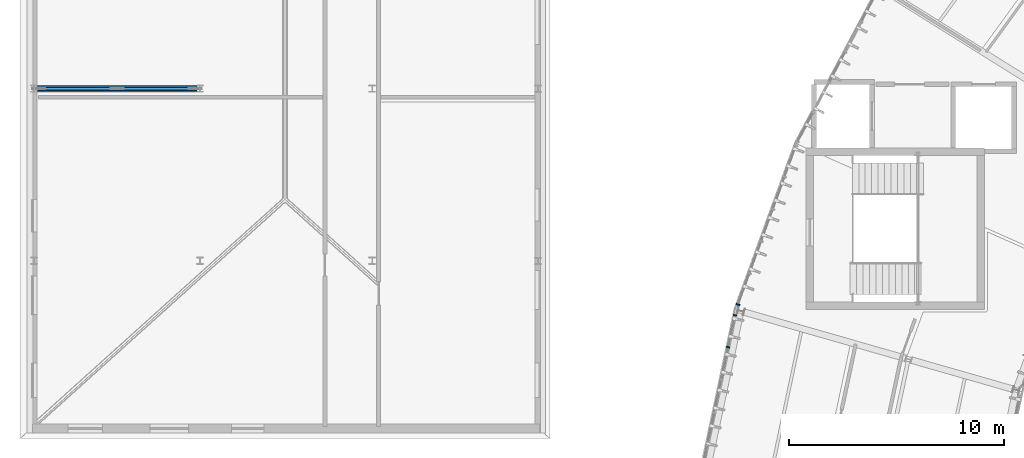
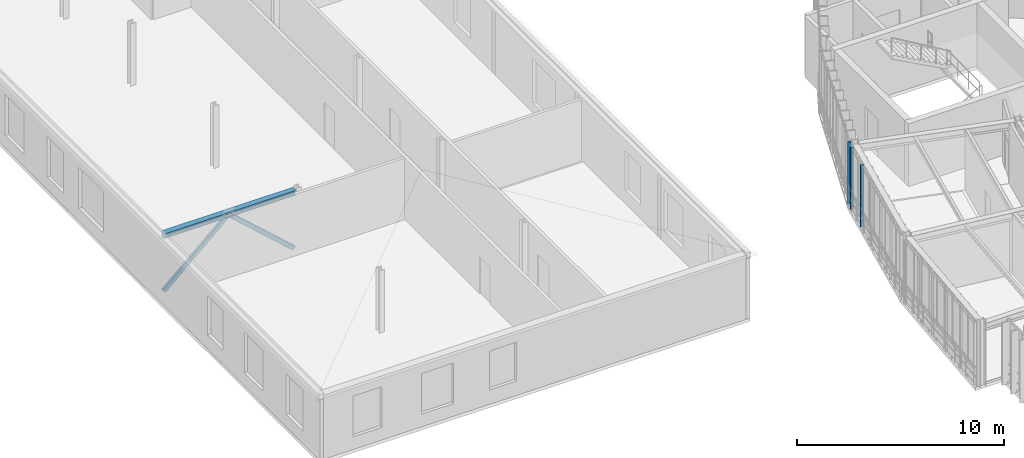
# One storey, part 10 of 42: 5 members, 1 beam, 2 elements without a shape of their own.
"""IFC4 building model written with IfcOpenShell, lengths in metres."""

from ifc_helpers import new_model, si_unit, direction, frame, origin, origin_2d, place, context, subcontext, project, spatial, rectangle, hollow_rectangle, i_section, extrude, material, layer, layer_set, material_profile, profile_set, type_object, element, aggregate, save


model = new_model("IFC4")

# Units and contexts
model_context = context("Model", 3, precision=1e-05, world=origin(), true_north=direction((0.0, 1.0)))
body_context = subcontext(model_context, "Body", "Model", "MODEL_VIEW")
ifc_project = project(units=[si_unit("LENGTHUNIT", "METRE"), si_unit("AREAUNIT", "SQUARE_METRE"), si_unit("VOLUMEUNIT", "CUBIC_METRE"), si_unit("PLANEANGLEUNIT", "RADIAN"), si_unit("MASSUNIT", "GRAM", prefix="KILO"), si_unit("THERMODYNAMICTEMPERATUREUNIT", "KELVIN"), si_unit("POWERUNIT", "WATT")], contexts=[model_context])

# Site, building, storey
site_placement = place(None, origin())
site = spatial("IfcSite", under=ifc_project, at=site_placement, CompositionType="ELEMENT")
building_placement = place(site_placement, origin())
building = spatial("IfcBuilding", under=site, at=building_placement, Name="Solvatero Civic Police Headquarters", CompositionType="ELEMENT")
storey_placement = place(building_placement, frame((0.0, 0.0, 21.60009765625)))
storey = spatial("IfcBuildingStorey", under=building, at=storey_placement, Name="L05", CompositionType="ELEMENT", Elevation=21.60009765625)

# Beam
ifc_material_1 = material(Name="Steel S355", Category="steel")
ifc_material_profile_1 = material_profile(ifc_material_1, i_section(OverallWidth=0.300048828125, OverallDepth=0.2900390625, WebThickness=0.008544921875, FlangeThickness=0.013916015625, FilletRadius=0.027099609375, at=origin_2d()), Name="HEA 300")
ifc_profile_set_1 = profile_set([ifc_material_profile_1], Name="Steel S355")
beam_type = type_object("IfcBeamType", Name="BM-ST-HEA300", PredefinedType="SPANDREL", material=ifc_profile_set_1)
beam_placement = place(storey_placement, frame((4.949951171875, 52.5, 3.434814453125), z_axis=(1.0, 0.0, 0.0), x_axis=(0.0, 1.0, 0.0)))
element("IfcBeam", 1, at=beam_placement, inside=storey, type_object=beam_type, Name="Perimeter / radial spandrel beam BM-R2-L05-RRAF-V6-BR1", PredefinedType="SPANDREL", context=body_context, shape_type="SweptSolid", body=[
    extrude(i_section(OverallWidth=0.300048828125, OverallDepth=0.2900390625, WebThickness=0.008544921875, FlangeThickness=0.013916015625, FilletRadius=0.027099609375, at=origin_2d()), origin(), (0.0, 0.0, 1.0), 7.400146484375),
])

# Curtain wall, members
ifc_material_2 = material(Name="Anodized Bronze Aluminium", Category="aluminium")
ifc_layer = layer(ifc_material_2, 0.179931640625)
ifc_layer_set = layer_set([ifc_layer], Name="Anodized Bronze Aluminium")
curtain_wall_type = type_object("IfcCurtainWallType", Name="CW-ARC-OUT", PredefinedType="USERDEFINED", material=ifc_layer_set)
curtain_wall_1_placement = place(storey_placement, origin())
curtain_wall_1 = element("IfcCurtainWall", 2, at=curtain_wall_1_placement, inside=storey, type_object=curtain_wall_type, Name="Curtain Wall CW-R2-L05-ARC-OUT-B11", ObjectType="UNITISED", PredefinedType="USERDEFINED")
ifc_material_profile_2 = material_profile(ifc_material_2, rectangle(XDim=0.06005859375, YDim=0.159912109375, at=origin_2d()), Name="ALU MULLION 60x160")
ifc_profile_set_2 = profile_set([ifc_material_profile_2], Name="Anodized Bronze Aluminium")
member_type_1 = type_object("IfcMemberType", Name="CWM-180x70", PredefinedType="MULLION", material=ifc_profile_set_2)
member_1_placement = place(storey_placement, frame((37.34765625, 41.97900390625, 0.0), z_axis=(0.0, 0.0, 1.0), x_axis=(-0.207911690818, -0.978147600734, 0.0)))
member_1 = element("IfcMember", 3, at=member_1_placement, type_object=member_type_1, Name="CW-R2-L05-ARC-OUT-B11 Mullion 1", PredefinedType="MULLION", context=body_context, shape_type="SweptSolid", body=[
    extrude(rectangle(XDim=0.06005859375, YDim=0.159912109375, at=origin_2d()), origin(), (0.0, 0.0, 1.0), 3.639892578125),
])
member_2_placement = place(storey_placement, frame((37.031982421875, 40.493896484375, 0.0), z_axis=(0.0, 0.0, 1.0), x_axis=(-0.207911690818, -0.978147600734, 0.0)))
member_2 = element("IfcMember", 4, at=member_2_placement, type_object=member_type_1, Name="CW-R2-L05-ARC-OUT-B11 Mullion 2", PredefinedType="MULLION", context=body_context, shape_type="SweptSolid", body=[
    extrude(rectangle(XDim=0.06005859375, YDim=0.159912109375, at=origin_2d()), origin(), (0.0, 0.0, 1.0), 3.639892578125),
])
aggregate(curtain_wall_1, [member_1, member_2])

# Curtain wall, member
curtain_wall_2_placement = place(storey_placement, origin())
curtain_wall_2 = element("IfcCurtainWall", 5, at=curtain_wall_2_placement, inside=storey, type_object=curtain_wall_type, Name="Curtain Wall CW-R2-L05-ARC-OUT-B10", ObjectType="UNITISED", PredefinedType="USERDEFINED")
ifc_material_profile_3 = material_profile(ifc_material_2, rectangle(XDim=0.06494140625, YDim=0.179931640625, at=origin_2d()), Name="ALU MULLION 65x180")
ifc_profile_set_3 = profile_set([ifc_material_profile_3], Name="Anodized Bronze Aluminium")
member_type_2 = type_object("IfcMemberType", Name="CWM-200x75", PredefinedType="MULLION", material=ifc_profile_set_3)
member_3_placement = place(storey_placement, frame((37.488525390625, 42.47021484375, 0.0), z_axis=(0.0, 0.0, 1.0), x_axis=(-0.342020143326, -0.939692620786, 0.0)))
member_3 = element("IfcMember", 6, at=member_3_placement, type_object=member_type_2, Name="CW-R2-L05-ARC-OUT-B10 Mullion 6", PredefinedType="MULLION", context=body_context, shape_type="SweptSolid", body=[
    extrude(rectangle(XDim=0.06494140625, YDim=0.179931640625, at=origin_2d()), origin(), (0.0, 0.0, 1.0), 3.639892578125),
])
aggregate(curtain_wall_2, [member_3])

# Members
ifc_material_profile_4 = material_profile(ifc_material_1, hollow_rectangle(XDim=0.14990234375, YDim=0.25, WallThickness=0.010009765625, InnerFilletRadius=0.010009765625, OuterFilletRadius=0.02001953125, at=origin_2d()), Name="RHS 250x150x10.0")
ifc_profile_set_4 = profile_set([ifc_material_profile_4], Name="Steel S355")
member_type_3 = type_object("IfcMemberType", Name="MB-BR-RHS250", PredefinedType="BRACE", material=ifc_profile_set_4)
member_4_placement = place(storey_placement, frame((5.02001953125, 52.5, 0.119873046875), z_axis=(0.743995403878, 0.0, 0.668184734193), x_axis=(0.0, 1.0, 0.0)))
element("IfcMember", 7, at=member_4_placement, inside=storey, type_object=member_type_3, Name="Chevron Brace BR-V6-INT1 Left L05", PredefinedType="BRACE", context=body_context, shape_type="SweptSolid", body=[
    extrude(hollow_rectangle(XDim=0.14990234375, YDim=0.25, WallThickness=0.010009765625, InnerFilletRadius=0.010009765625, OuterFilletRadius=0.02001953125, at=origin_2d()), origin(), (0.0, 0.0, 1.0), 4.87890625),
])
member_5_placement = place(storey_placement, frame((12.280029296875, 52.5, 0.119873046875), z_axis=(-0.744017744052, 0.0, 0.668159858519), x_axis=(0.0, -1.0, 0.0)))
element("IfcMember", 8, at=member_5_placement, inside=storey, type_object=member_type_3, Name="Chevron Brace BR-V6-INT1 Right L05", PredefinedType="BRACE", context=body_context, shape_type="SweptSolid", body=[
    extrude(hollow_rectangle(XDim=0.14990234375, YDim=0.25, WallThickness=0.010009765625, InnerFilletRadius=0.010009765625, OuterFilletRadius=0.02001953125, at=origin_2d()), origin(), (0.0, 0.0, 1.0), 4.879150390625),
])

save(model, "model.ifc")
